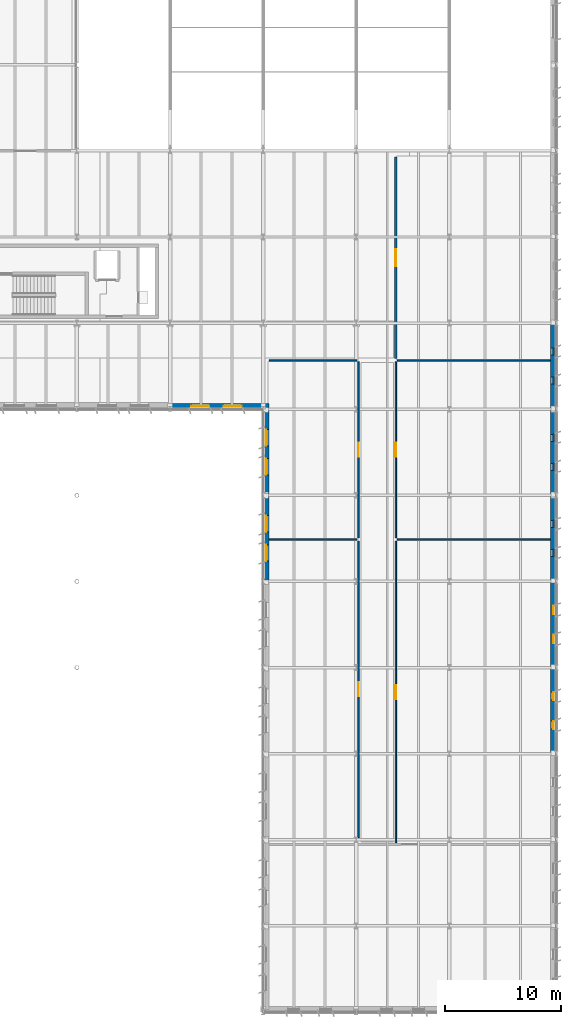
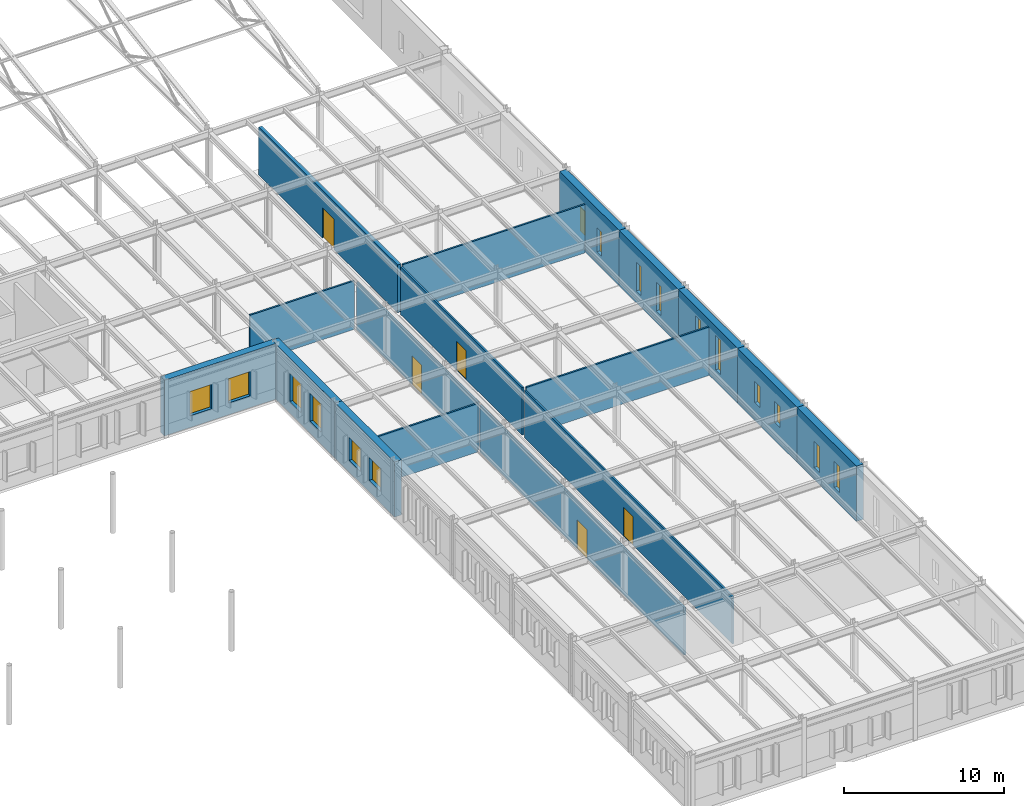
# One storey, part 51 of 75: 17 walls, 16 windows, 5 doors, 21 openings.
"""IFC4 building model written with IfcOpenShell, lengths in metres."""

from ifc_helpers import new_model, si_unit, direction, frame, frame_2d, origin, place, context, subcontext, project, spatial, rectangle, extrude, material, layer, layer_set, type_object, element, fill, save


model = new_model("IFC4")

# Units and contexts
model_context = context("Model", 3, precision=1e-05, world=origin(), true_north=direction((0.0, 1.0)))
body_context = subcontext(model_context, "Body", "Model", "MODEL_VIEW")
ifc_project = project(units=[si_unit("LENGTHUNIT", "METRE"), si_unit("AREAUNIT", "SQUARE_METRE"), si_unit("VOLUMEUNIT", "CUBIC_METRE"), si_unit("PLANEANGLEUNIT", "RADIAN"), si_unit("MASSUNIT", "GRAM", prefix="KILO")], contexts=[model_context])

# Site, building, storey
site_placement = place(None, origin())
site = spatial("IfcSite", under=ifc_project, at=site_placement, CompositionType="ELEMENT")
building_placement = place(site_placement, origin())
building = spatial("IfcBuilding", under=site, at=building_placement, Name="Valkorina Park Police Headquarters", CompositionType="ELEMENT")
storey_placement = place(building_placement, frame((0.0, 0.0, 5.39990234375)))
storey = spatial("IfcBuildingStorey", under=building, at=storey_placement, Name="L02", CompositionType="ELEMENT", Elevation=5.39990234375)

# Wall, opening, door
ifc_material_1 = material(Name="Concrete C40/50", Category="concrete")
ifc_layer_1 = layer(ifc_material_1, 0.25)
ifc_layer_set_1 = layer_set([ifc_layer_1], Name="Concrete C40/50")
wall_type_1 = type_object("IfcWallType", Name="WL-CUST-250-REI120", PredefinedType="SOLIDWALL", material=ifc_layer_set_1)
wall_1_placement = place(storey_placement, frame((148.199951171875, 63.5400390625, 0.0), z_axis=(0.0, 0.0, 1.0), x_axis=(0.0, 1.0, 0.0)))
wall_1 = element("IfcWall", 1, at=wall_1_placement, inside=storey, type_object=wall_type_1, Name="L02 Interior Partition 0160 (L02-FOR-06)", PredefinedType="SOLIDWALL", context=body_context, shape_type="SweptSolid", body=[
    extrude(rectangle(XDim=17.320068359375, YDim=0.25, at=frame_2d((8.66015625, 0.0))), origin(), (0.0, 0.0, 1.0), 3.630126953125),
])
opening_1_placement = place(wall_1_placement, frame((7.93505859375, 0.0, 0.0)))
opening_1 = element("IfcOpeningElement", 2, at=opening_1_placement, cuts=wall_1, Name="Opening FD-07", PredefinedType="OPENING", context=body_context, shape_type="SweptSolid", body=[
    extrude(rectangle(XDim=1.449951171875, YDim=2.300048828125, at=frame_2d((0.72509765625, 1.14990234375))), frame((0.0, 0.135009765625, 0.0), z_axis=(0.0, -1.0, 0.0), x_axis=(1.0, 0.0, 0.0)), (0.0, 0.0, 1.0), 0.27001953125),
])
ifc_material_2 = material(Name="Galvanized steel door leaf", Category="steel")
ifc_layer_2 = layer(ifc_material_2, 0.050048828125)
ifc_layer_set_2 = layer_set([ifc_layer_2], Name="Galvanized steel door leaf")
door_type_1 = type_object("IfcDoorType", Name="DR-FIRE-VAULT-1450x2300", OperationType="NOTDEFINED", PredefinedType="DOOR", material=ifc_layer_set_2)
door_1_placement = place(opening_1_placement, origin())
door_1 = element("IfcDoor", 3, at=door_1_placement, inside=storey, type_object=door_type_1, Name="Door D-L02-I074 (L02-FOR-06)", OperationType="SINGLE_SWING_LEFT", OverallHeight=2.300048828125, OverallWidth=1.449951171875, PredefinedType="DOOR", context=body_context, shape_type="SweptSolid", body=[
    extrude(rectangle(XDim=1.449951171875, YDim=2.300048828125, at=frame_2d((0.72509765625, 1.14990234375))), frame((0.0, 0.02490234375, 0.0), z_axis=(0.0, -1.0, 0.0), x_axis=(1.0, 0.0, 0.0)), (0.0, 0.0, 1.0), 0.050048828125),
])
fill(opening_1, door_1)

# Wall, openings, windows
ifc_material_3 = material(Name="Precast concrete C40/50", Category="concrete")
ifc_layer_3 = layer(ifc_material_3, 0.5)
ifc_layer_set_3 = layer_set([ifc_layer_3], Name="Precast concrete C40/50")
wall_type_2 = type_object("IfcWallType", Name="WL-EXT-SPANDREL-500", PredefinedType="STANDARD", material=ifc_layer_set_3)
wall_2_placement = place(storey_placement, frame((161.75, 66.60009765625, 0.0), z_axis=(0.0, 0.0, 1.0), x_axis=(0.0, -1.0, 0.0)))
wall_2 = element("IfcWall", 4, at=wall_2_placement, inside=storey, type_object=wall_type_2, Name="L02 Architectural Concrete Exterior Wall 0158", PredefinedType="STANDARD", context=body_context, shape_type="SweptSolid", body=[
    extrude(rectangle(XDim=7.400146484375, YDim=0.5, at=frame_2d((3.7001953125, 0.0))), origin(), (0.0, 0.0, 1.0), 4.2001953125),
])
opening_2_placement = place(wall_2_placement, frame((2.152587890625, 0.0, 0.89990234375)))
opening_2 = element("IfcOpeningElement", 5, at=opening_2_placement, cuts=wall_2, Name="Opening WN-04", PredefinedType="OPENING", context=body_context, shape_type="SweptSolid", body=[
    extrude(rectangle(XDim=0.60009765625, YDim=1.85009765625, at=frame_2d((0.300048828125, 0.925048828125))), frame((0.0, 0.260009765625, 0.0), z_axis=(0.0, -1.0, 0.0), x_axis=(1.0, 0.0, 0.0)), (0.0, 0.0, 1.0), 0.52001953125),
])
opening_3_placement = place(wall_2_placement, frame((4.6474609375, 0.0, 0.89990234375)))
opening_3 = element("IfcOpeningElement", 6, at=opening_3_placement, cuts=wall_2, Name="Opening WN-04", PredefinedType="OPENING", context=body_context, shape_type="SweptSolid", body=[
    extrude(rectangle(XDim=0.60009765625, YDim=1.85009765625, at=frame_2d((0.300048828125, 0.925048828125))), frame((0.0, 0.260009765625, 0.0), z_axis=(0.0, -1.0, 0.0), x_axis=(1.0, 0.0, 0.0)), (0.0, 0.0, 1.0), 0.52001953125),
])
ifc_material_4 = material(Name="Triple low-E insulated glazing", Category="glass")
ifc_layer_4 = layer(ifc_material_4, 0.06005859375)
ifc_layer_set_4 = layer_set([ifc_layer_4], Name="Triple low-E insulated glazing")
window_type_1 = type_object("IfcWindowType", Name="WN-SLOT-600x1850", PartitioningType="SINGLE_PANEL", PredefinedType="WINDOW", material=ifc_layer_set_4)
window_1_placement = place(opening_2_placement, origin())
window_1 = element("IfcWindow", 7, at=window_1_placement, inside=storey, type_object=window_type_1, Name="Window L02-0261", OverallHeight=1.85009765625, OverallWidth=0.60009765625, PartitioningType="SINGLE_PANEL", PredefinedType="WINDOW", context=body_context, shape_type="SweptSolid", body=[
    extrude(rectangle(XDim=0.60009765625, YDim=1.85009765625, at=frame_2d((0.300048828125, 0.925048828125))), frame((0.0, 0.030029296875, 0.0), z_axis=(0.0, -1.0, 0.0), x_axis=(1.0, 0.0, 0.0)), (0.0, 0.0, 1.0), 0.06005859375),
])
fill(opening_2, window_1)
window_2_placement = place(opening_3_placement, origin())
window_2 = element("IfcWindow", 8, at=window_2_placement, inside=storey, type_object=window_type_1, Name="Window L02-0262", OverallHeight=1.85009765625, OverallWidth=0.60009765625, PartitioningType="SINGLE_PANEL", PredefinedType="WINDOW", context=body_context, shape_type="SweptSolid", body=[
    extrude(rectangle(XDim=0.60009765625, YDim=1.85009765625, at=frame_2d((0.300048828125, 0.925048828125))), frame((0.0, 0.030029296875, 0.0), z_axis=(0.0, -1.0, 0.0), x_axis=(1.0, 0.0, 0.0)), (0.0, 0.0, 1.0), 0.06005859375),
])
fill(opening_3, window_2)

wall_3_placement = place(storey_placement, frame((161.75, 59.199951171875, 0.0), z_axis=(0.0, 0.0, 1.0), x_axis=(0.0, -1.0, 0.0)))
wall_3 = element("IfcWall", 9, at=wall_3_placement, inside=storey, type_object=wall_type_2, Name="L02 Architectural Concrete Exterior Wall 0159", PredefinedType="STANDARD", context=body_context, shape_type="SweptSolid", body=[
    extrude(rectangle(XDim=7.39990234375, YDim=0.5, at=frame_2d((3.699951171875, 0.0))), origin(), (0.0, 0.0, 1.0), 4.2001953125),
])
opening_4_placement = place(wall_3_placement, frame((2.152587890625, 0.0, 0.89990234375)))
opening_4 = element("IfcOpeningElement", 10, at=opening_4_placement, cuts=wall_3, Name="Opening WN-05", PredefinedType="OPENING", context=body_context, shape_type="SweptSolid", body=[
    extrude(rectangle(XDim=0.60009765625, YDim=2.199951171875, at=frame_2d((0.300048828125, 1.10009765625))), frame((0.0, 0.260009765625, 0.0), z_axis=(0.0, -1.0, 0.0), x_axis=(1.0, 0.0, 0.0)), (0.0, 0.0, 1.0), 0.52001953125),
])
opening_5_placement = place(wall_3_placement, frame((4.6474609375, 0.0, 0.89990234375)))
opening_5 = element("IfcOpeningElement", 11, at=opening_5_placement, cuts=wall_3, Name="Opening WN-05", PredefinedType="OPENING", context=body_context, shape_type="SweptSolid", body=[
    extrude(rectangle(XDim=0.60009765625, YDim=2.199951171875, at=frame_2d((0.300048828125, 1.10009765625))), frame((0.0, 0.260009765625, 0.0), z_axis=(0.0, -1.0, 0.0), x_axis=(1.0, 0.0, 0.0)), (0.0, 0.0, 1.0), 0.52001953125),
])
ifc_layer_5 = layer(ifc_material_4, 0.06005859375)
ifc_layer_set_5 = layer_set([ifc_layer_5], Name="Triple low-E insulated glazing")
window_type_2 = type_object("IfcWindowType", Name="WN-SLOT-600x2200", PartitioningType="SINGLE_PANEL", PredefinedType="WINDOW", material=ifc_layer_set_5)
window_3_placement = place(opening_4_placement, origin())
window_3 = element("IfcWindow", 12, at=window_3_placement, inside=storey, type_object=window_type_2, Name="Window L02-0263", OverallHeight=2.199951171875, OverallWidth=0.60009765625, PartitioningType="SINGLE_PANEL", PredefinedType="WINDOW", context=body_context, shape_type="SweptSolid", body=[
    extrude(rectangle(XDim=0.60009765625, YDim=2.199951171875, at=frame_2d((0.300048828125, 1.10009765625))), frame((0.0, 0.030029296875, 0.0), z_axis=(0.0, -1.0, 0.0), x_axis=(1.0, 0.0, 0.0)), (0.0, 0.0, 1.0), 0.06005859375),
])
fill(opening_4, window_3)
window_4_placement = place(opening_5_placement, origin())
window_4 = element("IfcWindow", 13, at=window_4_placement, inside=storey, type_object=window_type_2, Name="Window L02-0264", OverallHeight=2.199951171875, OverallWidth=0.60009765625, PartitioningType="SINGLE_PANEL", PredefinedType="WINDOW", context=body_context, shape_type="SweptSolid", body=[
    extrude(rectangle(XDim=0.60009765625, YDim=2.199951171875, at=frame_2d((0.300048828125, 1.10009765625))), frame((0.0, 0.030029296875, 0.0), z_axis=(0.0, -1.0, 0.0), x_axis=(1.0, 0.0, 0.0)), (0.0, 0.0, 1.0), 0.06005859375),
])
fill(opening_5, window_4)

wall_4_placement = place(storey_placement, frame((161.75, 51.800048828125, 0.0), z_axis=(0.0, 0.0, 1.0), x_axis=(0.0, -1.0, 0.0)))
wall_4 = element("IfcWall", 14, at=wall_4_placement, inside=storey, type_object=wall_type_2, Name="L02 Architectural Concrete Exterior Wall 0160", PredefinedType="STANDARD", context=body_context, shape_type="SweptSolid", body=[
    extrude(rectangle(XDim=7.400146484375, YDim=0.5, at=frame_2d((3.7001953125, 0.0))), origin(), (0.0, 0.0, 1.0), 4.2001953125),
])
opening_6_placement = place(wall_4_placement, frame((2.152587890625, 0.0, 0.89990234375)))
opening_6 = element("IfcOpeningElement", 15, at=opening_6_placement, cuts=wall_4, Name="Opening WN-06", PredefinedType="OPENING", context=body_context, shape_type="SweptSolid", body=[
    extrude(rectangle(XDim=0.60009765625, YDim=2.60009765625, at=frame_2d((0.300048828125, 1.300048828125))), frame((0.0, 0.260009765625, 0.0), z_axis=(0.0, -1.0, 0.0), x_axis=(1.0, 0.0, 0.0)), (0.0, 0.0, 1.0), 0.52001953125),
])
opening_7_placement = place(wall_4_placement, frame((4.6474609375, 0.0, 0.89990234375)))
opening_7 = element("IfcOpeningElement", 16, at=opening_7_placement, cuts=wall_4, Name="Opening WN-06", PredefinedType="OPENING", context=body_context, shape_type="SweptSolid", body=[
    extrude(rectangle(XDim=0.60009765625, YDim=2.60009765625, at=frame_2d((0.300048828125, 1.300048828125))), frame((0.0, 0.260009765625, 0.0), z_axis=(0.0, -1.0, 0.0), x_axis=(1.0, 0.0, 0.0)), (0.0, 0.0, 1.0), 0.52001953125),
])
ifc_layer_6 = layer(ifc_material_4, 0.06005859375)
ifc_layer_set_6 = layer_set([ifc_layer_6], Name="Triple low-E insulated glazing")
window_type_3 = type_object("IfcWindowType", Name="WN-SLOT-600x2600", PartitioningType="SINGLE_PANEL", PredefinedType="WINDOW", material=ifc_layer_set_6)
window_5_placement = place(opening_6_placement, origin())
window_5 = element("IfcWindow", 17, at=window_5_placement, inside=storey, type_object=window_type_3, Name="Window L02-0265", OverallHeight=2.60009765625, OverallWidth=0.60009765625, PartitioningType="SINGLE_PANEL", PredefinedType="WINDOW", context=body_context, shape_type="SweptSolid", body=[
    extrude(rectangle(XDim=0.60009765625, YDim=2.60009765625, at=frame_2d((0.300048828125, 1.300048828125))), frame((0.0, 0.030029296875, 0.0), z_axis=(0.0, -1.0, 0.0), x_axis=(1.0, 0.0, 0.0)), (0.0, 0.0, 1.0), 0.06005859375),
])
fill(opening_6, window_5)
window_6_placement = place(opening_7_placement, origin())
window_6 = element("IfcWindow", 18, at=window_6_placement, inside=storey, type_object=window_type_3, Name="Window L02-0266", OverallHeight=2.60009765625, OverallWidth=0.60009765625, PartitioningType="SINGLE_PANEL", PredefinedType="WINDOW", context=body_context, shape_type="SweptSolid", body=[
    extrude(rectangle(XDim=0.60009765625, YDim=2.60009765625, at=frame_2d((0.300048828125, 1.300048828125))), frame((0.0, 0.030029296875, 0.0), z_axis=(0.0, -1.0, 0.0), x_axis=(1.0, 0.0, 0.0)), (0.0, 0.0, 1.0), 0.06005859375),
])
fill(opening_7, window_6)

wall_5_placement = place(storey_placement, frame((161.75, 44.39990234375, 0.0), z_axis=(0.0, 0.0, 1.0), x_axis=(0.0, -1.0, 0.0)))
wall_5 = element("IfcWall", 19, at=wall_5_placement, inside=storey, type_object=wall_type_2, Name="L02 Architectural Concrete Exterior Wall 0161", PredefinedType="STANDARD", context=body_context, shape_type="SweptSolid", body=[
    extrude(rectangle(XDim=7.39990234375, YDim=0.5, at=frame_2d((3.699951171875, 0.0))), origin(), (0.0, 0.0, 1.0), 4.2001953125),
])
opening_8_placement = place(wall_5_placement, frame((2.1025390625, 0.0, 1.35009765625)))
opening_8 = element("IfcOpeningElement", 20, at=opening_8_placement, cuts=wall_5, Name="Opening WN-07", PredefinedType="OPENING", context=body_context, shape_type="SweptSolid", body=[
    extrude(rectangle(XDim=0.699951171875, YDim=1.60009765625, at=frame_2d((0.35009765625, 0.800048828125))), frame((0.0, 0.260009765625, 0.0), z_axis=(0.0, -1.0, 0.0), x_axis=(1.0, 0.0, 0.0)), (0.0, 0.0, 1.0), 0.52001953125),
])
opening_9_placement = place(wall_5_placement, frame((4.597412109375, 0.0, 1.35009765625)))
opening_9 = element("IfcOpeningElement", 21, at=opening_9_placement, cuts=wall_5, Name="Opening WN-07", PredefinedType="OPENING", context=body_context, shape_type="SweptSolid", body=[
    extrude(rectangle(XDim=0.699951171875, YDim=1.60009765625, at=frame_2d((0.35009765625, 0.800048828125))), frame((0.0, 0.260009765625, 0.0), z_axis=(0.0, -1.0, 0.0), x_axis=(1.0, 0.0, 0.0)), (0.0, 0.0, 1.0), 0.52001953125),
])
ifc_layer_7 = layer(ifc_material_4, 0.06005859375)
ifc_layer_set_7 = layer_set([ifc_layer_7], Name="Triple low-E insulated glazing")
window_type_4 = type_object("IfcWindowType", Name="WN-SLOT-700x1600", PartitioningType="SINGLE_PANEL", PredefinedType="WINDOW", material=ifc_layer_set_7)
window_7_placement = place(opening_8_placement, origin())
window_7 = element("IfcWindow", 22, at=window_7_placement, inside=storey, type_object=window_type_4, Name="Window L02-0267", OverallHeight=1.60009765625, OverallWidth=0.699951171875, PartitioningType="SINGLE_PANEL", PredefinedType="WINDOW", context=body_context, shape_type="SweptSolid", body=[
    extrude(rectangle(XDim=0.699951171875, YDim=1.60009765625, at=frame_2d((0.35009765625, 0.800048828125))), frame((0.0, 0.030029296875, 0.0), z_axis=(0.0, -1.0, 0.0), x_axis=(1.0, 0.0, 0.0)), (0.0, 0.0, 1.0), 0.06005859375),
])
fill(opening_8, window_7)
window_8_placement = place(opening_9_placement, origin())
window_8 = element("IfcWindow", 23, at=window_8_placement, inside=storey, type_object=window_type_4, Name="Window L02-0268", OverallHeight=1.60009765625, OverallWidth=0.699951171875, PartitioningType="SINGLE_PANEL", PredefinedType="WINDOW", context=body_context, shape_type="SweptSolid", body=[
    extrude(rectangle(XDim=0.699951171875, YDim=1.60009765625, at=frame_2d((0.35009765625, 0.800048828125))), frame((0.0, 0.030029296875, 0.0), z_axis=(0.0, -1.0, 0.0), x_axis=(1.0, 0.0, 0.0)), (0.0, 0.0, 1.0), 0.06005859375),
])
fill(opening_9, window_8)

wall_6_placement = place(storey_placement, frame((161.75, 37.0, 0.0), z_axis=(0.0, 0.0, 1.0), x_axis=(0.0, -1.0, 0.0)))
wall_6 = element("IfcWall", 24, at=wall_6_placement, inside=storey, type_object=wall_type_2, Name="L02 Architectural Concrete Exterior Wall 0162", PredefinedType="STANDARD", context=body_context, shape_type="SweptSolid", body=[
    extrude(rectangle(XDim=7.39990234375, YDim=0.5, at=frame_2d((3.699951171875, 0.0))), origin(), (0.0, 0.0, 1.0), 4.2001953125),
])
opening_10_placement = place(wall_6_placement, frame((2.1025390625, 0.0, 0.89990234375)))
opening_10 = element("IfcOpeningElement", 25, at=opening_10_placement, cuts=wall_6, Name="Opening WN-08", PredefinedType="OPENING", context=body_context, shape_type="SweptSolid", body=[
    extrude(rectangle(XDim=0.699951171875, YDim=2.0, at=frame_2d((0.35009765625, 1.0))), frame((0.0, 0.260009765625, 0.0), z_axis=(0.0, -1.0, 0.0), x_axis=(1.0, 0.0, 0.0)), (0.0, 0.0, 1.0), 0.52001953125),
])
opening_11_placement = place(wall_6_placement, frame((4.597412109375, 0.0, 0.89990234375)))
opening_11 = element("IfcOpeningElement", 26, at=opening_11_placement, cuts=wall_6, Name="Opening WN-08", PredefinedType="OPENING", context=body_context, shape_type="SweptSolid", body=[
    extrude(rectangle(XDim=0.699951171875, YDim=2.0, at=frame_2d((0.35009765625, 1.0))), frame((0.0, 0.260009765625, 0.0), z_axis=(0.0, -1.0, 0.0), x_axis=(1.0, 0.0, 0.0)), (0.0, 0.0, 1.0), 0.52001953125),
])
ifc_layer_8 = layer(ifc_material_4, 0.06005859375)
ifc_layer_set_8 = layer_set([ifc_layer_8], Name="Triple low-E insulated glazing")
window_type_5 = type_object("IfcWindowType", Name="WN-SLOT-700x2000", PartitioningType="SINGLE_PANEL", PredefinedType="WINDOW", material=ifc_layer_set_8)
window_9_placement = place(opening_10_placement, origin())
window_9 = element("IfcWindow", 27, at=window_9_placement, inside=storey, type_object=window_type_5, Name="Window L02-0269", OverallHeight=2.0, OverallWidth=0.699951171875, PartitioningType="SINGLE_PANEL", PredefinedType="WINDOW", context=body_context, shape_type="SweptSolid", body=[
    extrude(rectangle(XDim=0.699951171875, YDim=2.0, at=frame_2d((0.35009765625, 1.0))), frame((0.0, 0.030029296875, 0.0), z_axis=(0.0, -1.0, 0.0), x_axis=(1.0, 0.0, 0.0)), (0.0, 0.0, 1.0), 0.06005859375),
])
fill(opening_10, window_9)
window_10_placement = place(opening_11_placement, origin())
window_10 = element("IfcWindow", 28, at=window_10_placement, inside=storey, type_object=window_type_5, Name="Window L02-0270", OverallHeight=2.0, OverallWidth=0.699951171875, PartitioningType="SINGLE_PANEL", PredefinedType="WINDOW", context=body_context, shape_type="SweptSolid", body=[
    extrude(rectangle(XDim=0.699951171875, YDim=2.0, at=frame_2d((0.35009765625, 1.0))), frame((0.0, 0.030029296875, 0.0), z_axis=(0.0, -1.0, 0.0), x_axis=(1.0, 0.0, 0.0)), (0.0, 0.0, 1.0), 0.06005859375),
])
fill(opening_11, window_10)

wall_7_placement = place(storey_placement, frame((137.050048828125, 44.39990234375, 0.0), z_axis=(0.0, 0.0, 1.0), x_axis=(0.0, 1.0, 0.0)))
wall_7 = element("IfcWall", 29, at=wall_7_placement, inside=storey, type_object=wall_type_2, Name="L02 Architectural Concrete Exterior Wall 0174", PredefinedType="STANDARD", context=body_context, shape_type="SweptSolid", body=[
    extrude(rectangle(XDim=7.400146484375, YDim=0.5, at=frame_2d((3.7001953125, 0.0))), origin(), (0.0, 0.0, 1.0), 4.2001953125),
])
opening_12_placement = place(wall_7_placement, frame((1.752685546875, 0.0, 0.89990234375)))
opening_12 = element("IfcOpeningElement", 30, at=opening_12_placement, cuts=wall_7, Name="Opening WN-24", PredefinedType="OPENING", context=body_context, shape_type="SweptSolid", body=[
    extrude(rectangle(XDim=1.39990234375, YDim=1.75, at=frame_2d((0.699951171875, 0.875))), frame((0.0, 0.260009765625, 0.0), z_axis=(0.0, -1.0, 0.0), x_axis=(1.0, 0.0, 0.0)), (0.0, 0.0, 1.0), 0.52001953125),
])
opening_13_placement = place(wall_7_placement, frame((4.247314453125, 0.0, 0.89990234375)))
opening_13 = element("IfcOpeningElement", 31, at=opening_13_placement, cuts=wall_7, Name="Opening WN-24", PredefinedType="OPENING", context=body_context, shape_type="SweptSolid", body=[
    extrude(rectangle(XDim=1.39990234375, YDim=1.75, at=frame_2d((0.699951171875, 0.875))), frame((0.0, 0.260009765625, 0.0), z_axis=(0.0, -1.0, 0.0), x_axis=(1.0, 0.0, 0.0)), (0.0, 0.0, 1.0), 0.52001953125),
])
ifc_layer_9 = layer(ifc_material_4, 0.06005859375)
ifc_layer_set_9 = layer_set([ifc_layer_9], Name="Triple low-E insulated glazing")
window_type_6 = type_object("IfcWindowType", Name="WN-LAB-1400x1750", PartitioningType="SINGLE_PANEL", PredefinedType="WINDOW", material=ifc_layer_set_9)
window_11_placement = place(opening_12_placement, origin())
window_11 = element("IfcWindow", 32, at=window_11_placement, inside=storey, type_object=window_type_6, Name="Window L02-0293", OverallHeight=1.75, OverallWidth=1.39990234375, PartitioningType="SINGLE_PANEL", PredefinedType="WINDOW", context=body_context, shape_type="SweptSolid", body=[
    extrude(rectangle(XDim=1.39990234375, YDim=1.75, at=frame_2d((0.699951171875, 0.875))), frame((0.0, 0.030029296875, 0.0), z_axis=(0.0, -1.0, 0.0), x_axis=(1.0, 0.0, 0.0)), (0.0, 0.0, 1.0), 0.06005859375),
])
fill(opening_12, window_11)
window_12_placement = place(opening_13_placement, origin())
window_12 = element("IfcWindow", 33, at=window_12_placement, inside=storey, type_object=window_type_6, Name="Window L02-0294", OverallHeight=1.75, OverallWidth=1.39990234375, PartitioningType="SINGLE_PANEL", PredefinedType="WINDOW", context=body_context, shape_type="SweptSolid", body=[
    extrude(rectangle(XDim=1.39990234375, YDim=1.75, at=frame_2d((0.699951171875, 0.875))), frame((0.0, 0.030029296875, 0.0), z_axis=(0.0, -1.0, 0.0), x_axis=(1.0, 0.0, 0.0)), (0.0, 0.0, 1.0), 0.06005859375),
])
fill(opening_13, window_12)

wall_8_placement = place(storey_placement, frame((137.050048828125, 51.800048828125, 0.0), z_axis=(0.0, 0.0, 1.0), x_axis=(0.0, 1.0, 0.0)))
wall_8 = element("IfcWall", 34, at=wall_8_placement, inside=storey, type_object=wall_type_2, Name="L02 Architectural Concrete Exterior Wall 0175", PredefinedType="STANDARD", context=body_context, shape_type="SweptSolid", body=[
    extrude(rectangle(XDim=7.89990234375, YDim=0.5, at=frame_2d((3.949951171875, 0.0))), origin(), (0.0, 0.0, 1.0), 4.2001953125),
])
opening_14_placement = place(wall_8_placement, frame((1.752685546875, 0.0, 0.89990234375)))
opening_14 = element("IfcOpeningElement", 35, at=opening_14_placement, cuts=wall_8, Name="Opening WN-25", PredefinedType="OPENING", context=body_context, shape_type="SweptSolid", body=[
    extrude(rectangle(XDim=1.39990234375, YDim=2.14990234375, at=frame_2d((0.699951171875, 1.074951171875))), frame((0.0, 0.260009765625, 0.0), z_axis=(0.0, -1.0, 0.0), x_axis=(1.0, 0.0, 0.0)), (0.0, 0.0, 1.0), 0.52001953125),
])
opening_15_placement = place(wall_8_placement, frame((4.247314453125, 0.0, 0.89990234375)))
opening_15 = element("IfcOpeningElement", 36, at=opening_15_placement, cuts=wall_8, Name="Opening WN-25", PredefinedType="OPENING", context=body_context, shape_type="SweptSolid", body=[
    extrude(rectangle(XDim=1.39990234375, YDim=2.14990234375, at=frame_2d((0.699951171875, 1.074951171875))), frame((0.0, 0.260009765625, 0.0), z_axis=(0.0, -1.0, 0.0), x_axis=(1.0, 0.0, 0.0)), (0.0, 0.0, 1.0), 0.52001953125),
])
ifc_layer_10 = layer(ifc_material_4, 0.06005859375)
ifc_layer_set_10 = layer_set([ifc_layer_10], Name="Triple low-E insulated glazing")
window_type_7 = type_object("IfcWindowType", Name="WN-LAB-1400x2150", PartitioningType="SINGLE_PANEL", PredefinedType="WINDOW", material=ifc_layer_set_10)
window_13_placement = place(opening_14_placement, origin())
window_13 = element("IfcWindow", 37, at=window_13_placement, inside=storey, type_object=window_type_7, Name="Window L02-0295", OverallHeight=2.14990234375, OverallWidth=1.39990234375, PartitioningType="SINGLE_PANEL", PredefinedType="WINDOW", context=body_context, shape_type="SweptSolid", body=[
    extrude(rectangle(XDim=1.39990234375, YDim=2.14990234375, at=frame_2d((0.699951171875, 1.074951171875))), frame((0.0, 0.030029296875, 0.0), z_axis=(0.0, -1.0, 0.0), x_axis=(1.0, 0.0, 0.0)), (0.0, 0.0, 1.0), 0.06005859375),
])
fill(opening_14, window_13)
window_14_placement = place(opening_15_placement, origin())
window_14 = element("IfcWindow", 38, at=window_14_placement, inside=storey, type_object=window_type_7, Name="Window L02-0296", OverallHeight=2.14990234375, OverallWidth=1.39990234375, PartitioningType="SINGLE_PANEL", PredefinedType="WINDOW", context=body_context, shape_type="SweptSolid", body=[
    extrude(rectangle(XDim=1.39990234375, YDim=2.14990234375, at=frame_2d((0.699951171875, 1.074951171875))), frame((0.0, 0.030029296875, 0.0), z_axis=(0.0, -1.0, 0.0), x_axis=(1.0, 0.0, 0.0)), (0.0, 0.0, 1.0), 0.06005859375),
])
fill(opening_15, window_14)

wall_9_placement = place(storey_placement, frame((136.800048828125, 59.449951171875, 0.0), z_axis=(0.0, 0.0, 1.0), x_axis=(-1.0, 0.0, 0.0)))
wall_9 = element("IfcWall", 39, at=wall_9_placement, inside=storey, type_object=wall_type_2, Name="L02 Architectural Concrete Exterior Wall 0176", PredefinedType="STANDARD", context=body_context, shape_type="SweptSolid", body=[
    extrude(rectangle(XDim=8.0, YDim=0.5, at=frame_2d((4.0, 0.0))), origin(), (0.0, 0.0, 1.0), 4.239990234375),
])
opening_16_placement = place(wall_9_placement, frame((1.842529296875, 0.0, 0.89990234375)))
opening_16 = element("IfcOpeningElement", 40, at=opening_16_placement, cuts=wall_9, Name="Opening WN-26", PredefinedType="OPENING", context=body_context, shape_type="SweptSolid", body=[
    extrude(rectangle(XDim=1.550048828125, YDim=1.85009765625, at=frame_2d((0.77490234375, 0.925048828125))), frame((0.0, 0.260009765625, 0.0), z_axis=(0.0, -1.0, 0.0), x_axis=(1.0, 0.0, 0.0)), (0.0, 0.0, 1.0), 0.52001953125),
])
opening_17_placement = place(wall_9_placement, frame((4.607421875, 0.0, 0.89990234375)))
opening_17 = element("IfcOpeningElement", 41, at=opening_17_placement, cuts=wall_9, Name="Opening WN-26", PredefinedType="OPENING", context=body_context, shape_type="SweptSolid", body=[
    extrude(rectangle(XDim=1.550048828125, YDim=1.85009765625, at=frame_2d((0.77490234375, 0.925048828125))), frame((0.0, 0.260009765625, 0.0), z_axis=(0.0, -1.0, 0.0), x_axis=(1.0, 0.0, 0.0)), (0.0, 0.0, 1.0), 0.52001953125),
])
ifc_layer_11 = layer(ifc_material_4, 0.06005859375)
ifc_layer_set_11 = layer_set([ifc_layer_11], Name="Triple low-E insulated glazing")
window_type_8 = type_object("IfcWindowType", Name="WN-COURT-1550x1850", PartitioningType="SINGLE_PANEL", PredefinedType="WINDOW", material=ifc_layer_set_11)
window_15_placement = place(opening_16_placement, origin())
window_15 = element("IfcWindow", 42, at=window_15_placement, inside=storey, type_object=window_type_8, Name="Window L02-0297", OverallHeight=1.85009765625, OverallWidth=1.550048828125, PartitioningType="SINGLE_PANEL", PredefinedType="WINDOW", context=body_context, shape_type="SweptSolid", body=[
    extrude(rectangle(XDim=1.550048828125, YDim=1.85009765625, at=frame_2d((0.77490234375, 0.925048828125))), frame((0.0, 0.030029296875, 0.0), z_axis=(0.0, -1.0, 0.0), x_axis=(1.0, 0.0, 0.0)), (0.0, 0.0, 1.0), 0.06005859375),
])
fill(opening_16, window_15)
window_16_placement = place(opening_17_placement, origin())
window_16 = element("IfcWindow", 43, at=window_16_placement, inside=storey, type_object=window_type_8, Name="Window L02-0298", OverallHeight=1.85009765625, OverallWidth=1.550048828125, PartitioningType="SINGLE_PANEL", PredefinedType="WINDOW", context=body_context, shape_type="SweptSolid", body=[
    extrude(rectangle(XDim=1.550048828125, YDim=1.85009765625, at=frame_2d((0.77490234375, 0.925048828125))), frame((0.0, 0.030029296875, 0.0), z_axis=(0.0, -1.0, 0.0), x_axis=(1.0, 0.0, 0.0)), (0.0, 0.0, 1.0), 0.06005859375),
])
fill(opening_17, window_16)

# Wall
ifc_material_5 = material(Name="Gypsum plasterboard")
ifc_layer_12 = layer(ifc_material_5, 0.125)
ifc_layer_set_12 = layer_set([ifc_layer_12], Name="Gypsum plasterboard")
wall_type_3 = type_object("IfcWallType", Name="WL-PART-125-EI30", PredefinedType="PARTITIONING", material=ifc_layer_set_12)
wall_10_placement = place(storey_placement, frame((137.340087890625, 48.0, 0.0), z_axis=(0.0, 0.0, 1.0), x_axis=(1.0, 0.0, 0.0)))
element("IfcWall", 44, at=wall_10_placement, inside=storey, type_object=wall_type_3, Name="L02 Interior Partition 0152 (L02-FOR-02)", PredefinedType="PARTITIONING", context=body_context, shape_type="SweptSolid", body=[
    extrude(rectangle(XDim=7.52001953125, YDim=0.125, at=frame_2d((3.760009765625, 0.0))), origin(), (0.0, 0.0, 1.0), 3.690185546875),
])

# Wall, opening, door
wall_11_placement = place(storey_placement, frame((145.0, 22.389892578125, 0.0), z_axis=(0.0, 0.0, 1.0), x_axis=(0.0, 1.0, 0.0)))
wall_11 = element("IfcWall", 45, at=wall_11_placement, inside=storey, type_object=wall_type_3, Name="L02 Interior Partition 0153 (L02-FOR-02)", PredefinedType="PARTITIONING", context=body_context, shape_type="SweptSolid", body=[
    extrude(rectangle(XDim=25.47021484375, YDim=0.125, at=frame_2d((12.735107421875, 0.0))), origin(), (0.0, 0.0, 1.0), 3.60009765625),
])
opening_18_placement = place(wall_11_placement, frame((12.135009765625, 0.0, 0.0)))
opening_18 = element("IfcOpeningElement", 46, at=opening_18_placement, cuts=wall_11, Name="Opening ID-06", PredefinedType="OPENING", context=body_context, shape_type="SweptSolid", body=[
    extrude(rectangle(XDim=1.199951171875, YDim=2.199951171875, at=frame_2d((0.60009765625, 1.10009765625))), frame((0.0, 0.072509765625, 0.0), z_axis=(0.0, -1.0, 0.0), x_axis=(1.0, 0.0, 0.0)), (0.0, 0.0, 1.0), 0.14501953125),
])
ifc_material_6 = material(Name="Thermally broken aluminium AW-6060", Category="aluminium")
ifc_layer_13 = layer(ifc_material_6, 0.050048828125)
ifc_layer_set_13 = layer_set([ifc_layer_13], Name="Thermally broken aluminium AW-6060")
door_type_2 = type_object("IfcDoorType", Name="DR-INT-LAB-1200x2200", OperationType="NOTDEFINED", PredefinedType="DOOR", material=ifc_layer_set_13)
door_2_placement = place(opening_18_placement, origin())
door_2 = element("IfcDoor", 47, at=door_2_placement, inside=storey, type_object=door_type_2, Name="Door D-L02-I070 (L02-FOR-02)", OperationType="SINGLE_SWING_LEFT", OverallHeight=2.199951171875, OverallWidth=1.199951171875, PredefinedType="DOOR", context=body_context, shape_type="SweptSolid", body=[
    extrude(rectangle(XDim=1.199951171875, YDim=2.199951171875, at=frame_2d((0.60009765625, 1.10009765625))), frame((0.0, 0.02490234375, 0.0), z_axis=(0.0, -1.0, 0.0), x_axis=(1.0, 0.0, 0.0)), (0.0, 0.0, 1.0), 0.050048828125),
])
fill(opening_18, door_2)

# Wall
wall_12_placement = place(storey_placement, frame((137.340087890625, 63.39990234375, 0.0), z_axis=(0.0, 0.0, 1.0), x_axis=(1.0, 0.0, 0.0)))
element("IfcWall", 48, at=wall_12_placement, inside=storey, type_object=wall_type_3, Name="L02 Interior Partition 0154 (L02-FOR-03)", PredefinedType="PARTITIONING", context=body_context, shape_type="SweptSolid", body=[
    extrude(rectangle(XDim=7.52001953125, YDim=0.125, at=frame_2d((3.760009765625, 0.0))), origin(), (0.0, 0.0, 1.0), 3.690185546875),
])

# Wall, opening, door
wall_13_placement = place(storey_placement, frame((145.0, 48.139892578125, 0.0), z_axis=(0.0, 0.0, 1.0), x_axis=(0.0, 1.0, 0.0)))
wall_13 = element("IfcWall", 49, at=wall_13_placement, inside=storey, type_object=wall_type_3, Name="L02 Interior Partition 0155 (L02-FOR-03)", PredefinedType="PARTITIONING", context=body_context, shape_type="SweptSolid", body=[
    extrude(rectangle(XDim=15.1201171875, YDim=0.125, at=frame_2d((7.56005859375, 0.0))), origin(), (0.0, 0.0, 1.0), 3.630126953125),
])
opening_19_placement = place(wall_13_placement, frame((6.9599609375, 0.0, 0.0)))
opening_19 = element("IfcOpeningElement", 50, at=opening_19_placement, cuts=wall_13, Name="Opening ID-06", PredefinedType="OPENING", context=body_context, shape_type="SweptSolid", body=[
    extrude(rectangle(XDim=1.199951171875, YDim=2.199951171875, at=frame_2d((0.60009765625, 1.10009765625))), frame((0.0, 0.072509765625, 0.0), z_axis=(0.0, -1.0, 0.0), x_axis=(1.0, 0.0, 0.0)), (0.0, 0.0, 1.0), 0.14501953125),
])
door_3_placement = place(opening_19_placement, origin())
door_3 = element("IfcDoor", 51, at=door_3_placement, inside=storey, type_object=door_type_2, Name="Door D-L02-I071 (L02-FOR-03)", OperationType="SINGLE_SWING_RIGHT", OverallHeight=2.199951171875, OverallWidth=1.199951171875, PredefinedType="DOOR", context=body_context, shape_type="SweptSolid", body=[
    extrude(rectangle(XDim=1.199951171875, YDim=2.199951171875, at=frame_2d((0.60009765625, 1.10009765625))), frame((0.0, 0.02490234375, 0.0), z_axis=(0.0, -1.0, 0.0), x_axis=(1.0, 0.0, 0.0)), (0.0, 0.0, 1.0), 0.050048828125),
])
fill(opening_19, door_3)

# Wall
wall_14_placement = place(storey_placement, frame((148.340087890625, 48.0, 0.0), z_axis=(0.0, 0.0, 1.0), x_axis=(1.0, 0.0, 0.0)))
element("IfcWall", 52, at=wall_14_placement, inside=storey, type_object=wall_type_3, Name="L02 Interior Partition 0156 (L02-FOR-04)", PredefinedType="PARTITIONING", context=body_context, shape_type="SweptSolid", body=[
    extrude(rectangle(XDim=13.119873046875, YDim=0.125, at=frame_2d((6.56005859375, 0.0))), origin(), (0.0, 0.0, 1.0), 3.690185546875),
])

# Wall, opening, door
wall_15_placement = place(storey_placement, frame((148.199951171875, 21.93994140625, 0.0), z_axis=(0.0, 0.0, 1.0), x_axis=(0.0, 1.0, 0.0)))
wall_15 = element("IfcWall", 53, at=wall_15_placement, inside=storey, type_object=wall_type_3, Name="L02 Interior Partition 0157 (L02-FOR-04)", PredefinedType="PARTITIONING", context=body_context, shape_type="SweptSolid", body=[
    extrude(rectangle(XDim=25.920166015625, YDim=0.125, at=frame_2d((12.9599609375, 0.0))), origin(), (0.0, 0.0, 1.0), 3.60009765625),
])
opening_20_placement = place(wall_15_placement, frame((12.360107421875, 0.0, 0.0)))
opening_20 = element("IfcOpeningElement", 54, at=opening_20_placement, cuts=wall_15, Name="Opening ID-06", PredefinedType="OPENING", context=body_context, shape_type="SweptSolid", body=[
    extrude(rectangle(XDim=1.199951171875, YDim=2.199951171875, at=frame_2d((0.60009765625, 1.10009765625))), frame((0.0, 0.072509765625, 0.0), z_axis=(0.0, -1.0, 0.0), x_axis=(1.0, 0.0, 0.0)), (0.0, 0.0, 1.0), 0.14501953125),
])
door_4_placement = place(opening_20_placement, origin())
door_4 = element("IfcDoor", 55, at=door_4_placement, inside=storey, type_object=door_type_2, Name="Door D-L02-I072 (L02-FOR-04)", OperationType="SINGLE_SWING_LEFT", OverallHeight=2.199951171875, OverallWidth=1.199951171875, PredefinedType="DOOR", context=body_context, shape_type="SweptSolid", body=[
    extrude(rectangle(XDim=1.199951171875, YDim=2.199951171875, at=frame_2d((0.60009765625, 1.10009765625))), frame((0.0, 0.02490234375, 0.0), z_axis=(0.0, -1.0, 0.0), x_axis=(1.0, 0.0, 0.0)), (0.0, 0.0, 1.0), 0.050048828125),
])
fill(opening_20, door_4)

# Wall
wall_16_placement = place(storey_placement, frame((148.340087890625, 63.39990234375, 0.0), z_axis=(0.0, 0.0, 1.0), x_axis=(1.0, 0.0, 0.0)))
element("IfcWall", 56, at=wall_16_placement, inside=storey, type_object=wall_type_3, Name="L02 Interior Partition 0158 (L02-FOR-05)", PredefinedType="PARTITIONING", context=body_context, shape_type="SweptSolid", body=[
    extrude(rectangle(XDim=13.119873046875, YDim=0.125, at=frame_2d((6.56005859375, 0.0))), origin(), (0.0, 0.0, 1.0), 3.690185546875),
])

# Wall, opening, door
wall_17_placement = place(storey_placement, frame((148.199951171875, 48.139892578125, 0.0), z_axis=(0.0, 0.0, 1.0), x_axis=(0.0, 1.0, 0.0)))
wall_17 = element("IfcWall", 57, at=wall_17_placement, inside=storey, type_object=wall_type_3, Name="L02 Interior Partition 0159 (L02-FOR-05)", PredefinedType="PARTITIONING", context=body_context, shape_type="SweptSolid", body=[
    extrude(rectangle(XDim=15.1201171875, YDim=0.125, at=frame_2d((7.56005859375, 0.0))), origin(), (0.0, 0.0, 1.0), 3.630126953125),
])
opening_21_placement = place(wall_17_placement, frame((6.9599609375, 0.0, 0.0)))
opening_21 = element("IfcOpeningElement", 58, at=opening_21_placement, cuts=wall_17, Name="Opening ID-06", PredefinedType="OPENING", context=body_context, shape_type="SweptSolid", body=[
    extrude(rectangle(XDim=1.199951171875, YDim=2.199951171875, at=frame_2d((0.60009765625, 1.10009765625))), frame((0.0, 0.072509765625, 0.0), z_axis=(0.0, -1.0, 0.0), x_axis=(1.0, 0.0, 0.0)), (0.0, 0.0, 1.0), 0.14501953125),
])
door_5_placement = place(opening_21_placement, origin())
door_5 = element("IfcDoor", 59, at=door_5_placement, inside=storey, type_object=door_type_2, Name="Door D-L02-I073 (L02-FOR-05)", OperationType="SINGLE_SWING_RIGHT", OverallHeight=2.199951171875, OverallWidth=1.199951171875, PredefinedType="DOOR", context=body_context, shape_type="SweptSolid", body=[
    extrude(rectangle(XDim=1.199951171875, YDim=2.199951171875, at=frame_2d((0.60009765625, 1.10009765625))), frame((0.0, 0.02490234375, 0.0), z_axis=(0.0, -1.0, 0.0), x_axis=(1.0, 0.0, 0.0)), (0.0, 0.0, 1.0), 0.050048828125),
])
fill(opening_21, door_5)

save(model, "model.ifc")
